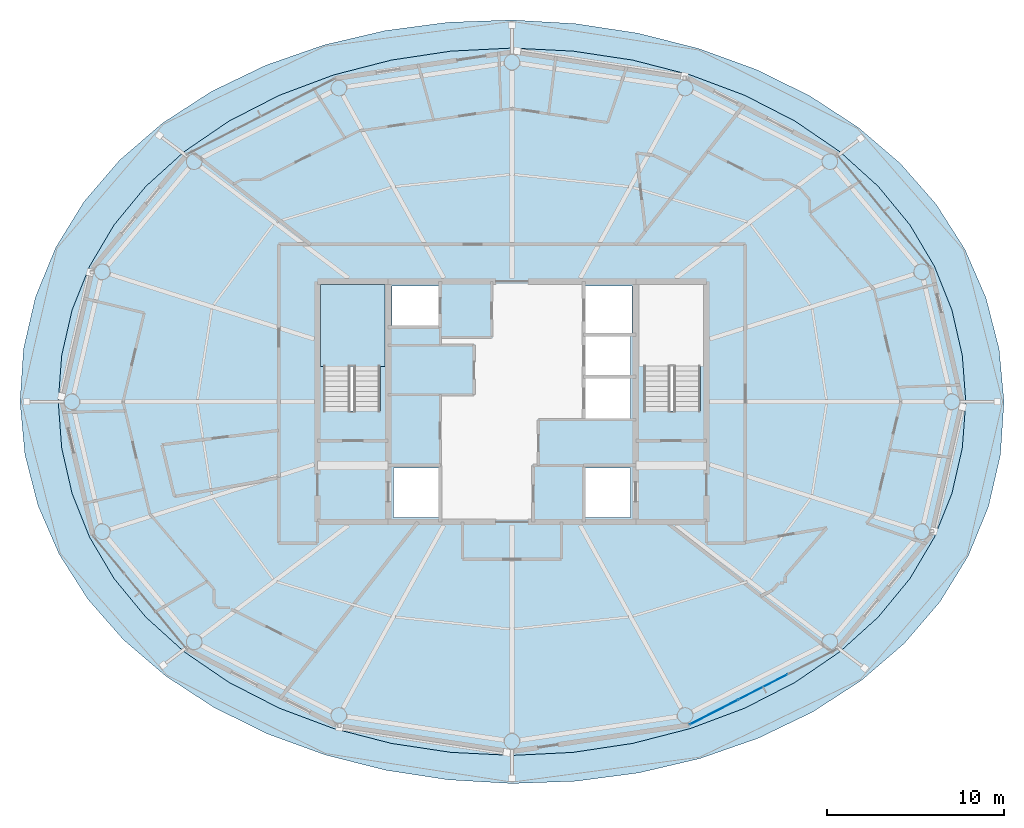
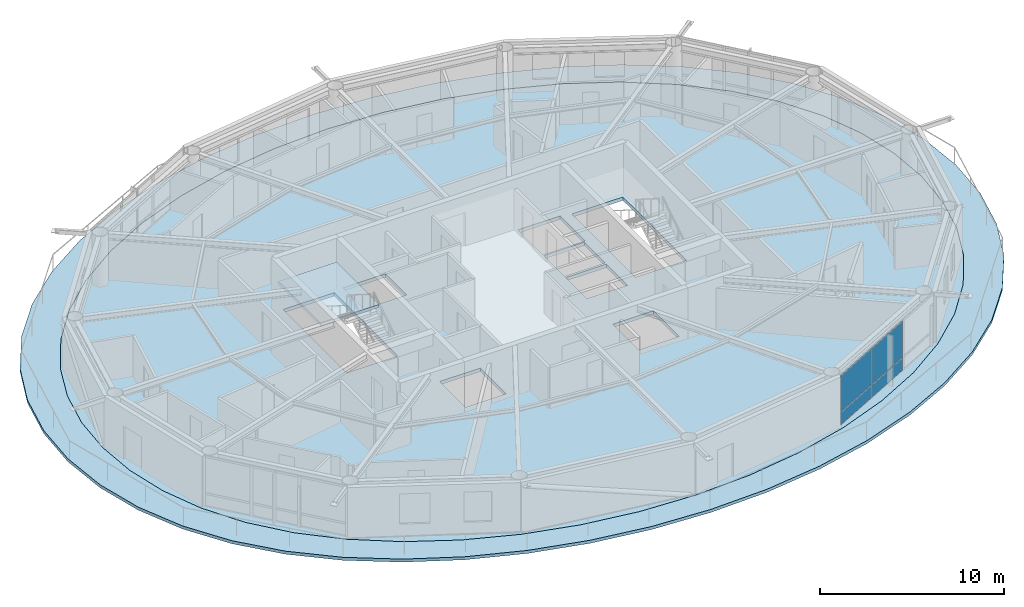
# One storey, part 13 of 22: 4 plates, 3 slabs, 2 elements without a shape of their own.
"""IFC4 building model written with IfcOpenShell, lengths in metres."""

from ifc_helpers import new_model, si_unit, direction, frame, origin, origin_2d, place, context, subcontext, project, spatial, polyline, rectangle, outline, extrude, material, layer, layer_set, type_object, element, aggregate, save


model = new_model("IFC4")

# Units and contexts
model_context = context("Model", 3, precision=1e-05, world=origin(), true_north=direction((0.0, 1.0)))
body_context = subcontext(model_context, "Body", "Model", "MODEL_VIEW")
ifc_project = project(units=[si_unit("LENGTHUNIT", "METRE"), si_unit("AREAUNIT", "SQUARE_METRE"), si_unit("VOLUMEUNIT", "CUBIC_METRE"), si_unit("PLANEANGLEUNIT", "RADIAN"), si_unit("MASSUNIT", "GRAM", prefix="KILO")], contexts=[model_context])

# Site, building, storey
site_placement = place(None, origin())
site = spatial("IfcSite", under=ifc_project, at=site_placement, CompositionType="ELEMENT")
building_placement = place(site_placement, origin())
building = spatial("IfcBuilding", under=site, at=building_placement, Name="Sarneth Arch Tower", CompositionType="ELEMENT")
storey_placement = place(building_placement, frame((0.0, 0.0, 305.39990234375)))
storey = spatial("IfcBuildingStorey", under=building, at=storey_placement, Name="L79", CompositionType="ELEMENT", Elevation=305.39990234375)

# Curtain wall, plates
ifc_material_1 = material(Name="Anodised aluminium Type AA25 and solar-control low-e laminated IGU", Category="aluminium")
ifc_layer_1 = layer(ifc_material_1, 0.179931640625)
ifc_layer_set_1 = layer_set([ifc_layer_1], Name="Anodised aluminium Type AA25 and solar-control low-e laminated IGU")
curtain_wall_type = type_object("IfcCurtainWallType", Name="CW-RES-HIGH", PredefinedType="NOTDEFINED", material=ifc_layer_set_1)
curtain_wall_placement = place(storey_placement, origin())
curtain_wall = element("IfcCurtainWall", 1, at=curtain_wall_placement, inside=storey, type_object=curtain_wall_type, Name="L79 Unitised curtain wall facet 14", PredefinedType="NOTDEFINED")
ifc_material_2 = material(Name="Solar-control low-e laminated IGU", Category="glass")
ifc_layer_2 = layer(ifc_material_2, 0.028076171875)
ifc_layer_set_2 = layer_set([ifc_layer_2], Name="Solar-control low-e laminated IGU")
plate_type = type_object("IfcPlateType", Name="CW-PANEL", PredefinedType="CURTAIN_PANEL", material=ifc_layer_set_2)
plate_1_placement = place(storey_placement, frame((59.4208984375, 24.447021484375, 0.06005859375), z_axis=(0.0, 0.0, 1.0), x_axis=(0.890009540525, 0.455941901753, 0.0)))
plate_1 = element("IfcPlate", 2, at=plate_1_placement, type_object=plate_type, Name="Curtain wall glazed vision pane CW-L79-F14/P00-00", PredefinedType="CURTAIN_PANEL", context=body_context, shape_type="SweptSolid", body=[
    extrude(rectangle(XDim=3.044677734375, YDim=0.028076171875, at=origin_2d()), origin(), (0.0, 0.0, 1.0), 0.81005859375),
])
plate_2_placement = place(storey_placement, frame((59.4208984375, 24.447021484375, 0.93017578125), z_axis=(0.0, 0.0, 1.0), x_axis=(0.890009540525, 0.455941901753, 0.0)))
plate_2 = element("IfcPlate", 3, at=plate_2_placement, type_object=plate_type, Name="Curtain wall glazed vision pane CW-L79-F14/P00-01", PredefinedType="CURTAIN_PANEL", context=body_context, shape_type="SweptSolid", body=[
    extrude(rectangle(XDim=3.044677734375, YDim=0.028076171875, at=origin_2d()), origin(), (0.0, 0.0, 1.0), 2.3798828125),
])
plate_3_placement = place(storey_placement, frame((62.197509765625, 25.86962890625, 0.06005859375), z_axis=(0.0, 0.0, 1.0), x_axis=(0.890009540525, 0.455941901753, 0.0)))
plate_3 = element("IfcPlate", 4, at=plate_3_placement, type_object=plate_type, Name="Curtain wall glazed vision pane CW-L79-F14/P01-00", PredefinedType="CURTAIN_PANEL", context=body_context, shape_type="SweptSolid", body=[
    extrude(rectangle(XDim=3.07470703125, YDim=0.028076171875, at=origin_2d()), origin(), (0.0, 0.0, 1.0), 0.81005859375),
])
plate_4_placement = place(storey_placement, frame((62.197509765625, 25.86962890625, 0.93017578125), z_axis=(0.0, 0.0, 1.0), x_axis=(0.890009540525, 0.455941901753, 0.0)))
plate_4 = element("IfcPlate", 5, at=plate_4_placement, type_object=plate_type, Name="Curtain wall glazed vision pane CW-L79-F14/P01-01", PredefinedType="CURTAIN_PANEL", context=body_context, shape_type="SweptSolid", body=[
    extrude(rectangle(XDim=3.07470703125, YDim=0.028076171875, at=origin_2d()), origin(), (0.0, 0.0, 1.0), 2.3798828125),
])
aggregate(curtain_wall, [plate_1, plate_2, plate_3, plate_4])

# Slab
ifc_material_3 = material(Name="Concrete C50/60", Category="concrete")
ifc_layer_3 = layer(ifc_material_3, 0.199951171875)
ifc_layer_set_3 = layer_set([ifc_layer_3], Name="Concrete C50/60")
slab_type_1 = type_object("IfcSlabType", Name="SLAB-BALC-200", PredefinedType="FLOOR", material=ifc_layer_set_3)
slab_1_placement = place(storey_placement, frame((0.0, 0.0, -0.199951171875)))
element("IfcSlab", 6, at=slab_1_placement, inside=storey, type_object=slab_type_1, Name="L79 Helical balcony band slab", PredefinedType="FLOOR", context=body_context, shape_type="SweptSolid", body=[
    extrude(outline(polyline([(75.82275390625, 42.0), (75.5458984375, 44.98193359375), (74.803466796875, 47.8740234375), (73.613037109375, 50.61376953125), (71.994384765625, 53.15478515625), (69.970947265625, 55.464599609375), (67.572509765625, 57.5185546875), (64.838134765625, 59.2978515625), (61.81689453125, 60.786376953125), (58.56494140625, 61.97021484375), (55.140380859375, 62.837646484375), (51.6005859375, 63.379638671875), (48.0, 63.588134765625), (44.3916015625, 63.458251953125), (40.829345703125, 62.9873046875), (37.37060546875, 62.176025390625), (34.077392578125, 61.028564453125), (31.01416015625, 59.552978515625), (28.244140625, 57.762451171875), (25.822998046875, 55.675537109375), (23.796630859375, 53.316650390625), (22.198486328125, 50.718994140625), (21.052978515625, 47.926025390625), (20.37646484375, 44.995849609375), (20.17724609375, 42.0), (20.4541015625, 39.01806640625), (21.196533203125, 36.1259765625), (22.386962890625, 33.38623046875), (24.005615234375, 30.84521484375), (26.029052734375, 28.535400390625), (28.427490234375, 26.4814453125), (31.161865234375, 24.7021484375), (34.18310546875, 23.213623046875), (37.43505859375, 22.02978515625), (40.859619140625, 21.162353515625), (44.3994140625, 20.620361328125), (48.0, 20.411865234375), (51.6083984375, 20.541748046875), (55.170654296875, 21.0126953125), (58.62939453125, 21.823974609375), (61.922607421875, 22.971435546875), (64.98583984375, 24.447021484375), (67.755859375, 26.237548828125), (70.177001953125, 28.324462890625), (72.203369140625, 30.683349609375), (73.801513671875, 33.281005859375), (74.947021484375, 36.073974609375), (75.62353515625, 39.004150390625), (75.82275390625, 42.0)]), holes=[polyline([(73.660888671875, 42.0), (73.466064453125, 44.610595703125), (72.87890625, 47.17626953125), (71.892822265625, 49.653564453125), (70.5029296875, 52.0), (68.712158203125, 54.17529296875), (66.536865234375, 56.14208984375), (64.009521484375, 57.8671875), (61.177001953125, 59.320556640625), (58.0966796875, 60.4775390625), (54.83203125, 61.318603515625), (51.44580078125, 61.828857421875), (48.0, 62.0), (44.55419921875, 61.828857421875), (41.16796875, 61.318603515625), (37.9033203125, 60.4775390625), (34.822998046875, 59.320556640625), (31.990478515625, 57.8671875), (29.463134765625, 56.14208984375), (27.287841796875, 54.17529296875), (25.4970703125, 52.0), (24.107177734375, 49.653564453125), (23.12109375, 47.17626953125), (22.533935546875, 44.610595703125), (22.339111328125, 42.0), (22.533935546875, 39.389404296875), (23.12109375, 36.82373046875), (24.107177734375, 34.346435546875), (25.4970703125, 32.0), (27.287841796875, 29.82470703125), (29.463134765625, 27.85791015625), (31.990478515625, 26.1328125), (34.822998046875, 24.679443359375), (37.9033203125, 23.5224609375), (41.16796875, 22.681396484375), (44.55419921875, 22.171142578125), (48.0, 22.0), (51.44580078125, 22.171142578125), (54.83203125, 22.681396484375), (58.0966796875, 23.5224609375), (61.177001953125, 24.679443359375), (64.009521484375, 26.1328125), (66.536865234375, 27.85791015625), (68.712158203125, 29.82470703125), (70.5029296875, 32.0), (71.892822265625, 34.346435546875), (72.87890625, 36.82373046875), (73.466064453125, 39.389404296875), (73.660888671875, 42.0)])]), origin(), (0.0, 0.0, 1.0), 0.199951171875),
])

# Stair, slab
ifc_material_4 = material(Name="Concrete C50/60", Category="concrete")
stair_type = type_object("IfcStairType", Name="STAIR-CORE-RC", PredefinedType="HALF_TURN_STAIR", material=ifc_material_4)
stair_placement = place(storey_placement, origin())
stair = element("IfcStair", 7, at=stair_placement, inside=storey, type_object=stair_type, Name="L79 Core Exit Stair 1", PredefinedType="HALF_TURN_STAIR")
ifc_material_5 = material(Name="Concrete C50/60", Category="concrete")
ifc_layer_4 = layer(ifc_material_5, 0.199951171875)
ifc_layer_set_4 = layer_set([ifc_layer_4], Name="Concrete C50/60")
slab_type_2 = type_object("IfcSlabType", Name="SLAB-LANDING-200", PredefinedType="LANDING", material=ifc_layer_set_4)
slab_2_placement = place(storey_placement, frame((0.0, 0.0, 1.60009765625)))
slab_2 = element("IfcSlab", 8, at=slab_2_placement, type_object=slab_type_2, Name="ST-1 landing 1", PredefinedType="LANDING", context=body_context, shape_type="SweptSolid", body=[
    extrude(outline(polyline([(37.175048828125, 43.985107421875), (40.824951171875, 43.985107421875), (40.824951171875, 48.625), (37.175048828125, 48.625), (37.175048828125, 43.985107421875)])), origin(), (0.0, 0.0, 1.0), 0.199951171875),
])
aggregate(stair, [slab_2])

# Slab
ifc_material_6 = material(Name="Concrete C50/60", Category="concrete")
ifc_layer_5 = layer(ifc_material_6, 0.22998046875)
ifc_layer_set_5 = layer_set([ifc_layer_5], Name="Concrete C50/60")
slab_type_3 = type_object("IfcSlabType", Name="SLAB-TOWER-230", PredefinedType="FLOOR", material=ifc_layer_set_5)
slab_3_placement = place(storey_placement, frame((0.0, 0.0, -0.22998046875)))
element("IfcSlab", 9, at=slab_3_placement, inside=storey, type_object=slab_type_3, Name="L79 Elliptical floor slab", PredefinedType="FLOOR", context=body_context, shape_type="SweptSolid", body=[
    extrude(outline(polyline([(73.660888671875, 42.0), (73.466064453125, 44.610595703125), (72.87890625, 47.17626953125), (71.892822265625, 49.653564453125), (70.5029296875, 52.0), (68.712158203125, 54.17529296875), (66.536865234375, 56.14208984375), (64.009521484375, 57.8671875), (61.177001953125, 59.320556640625), (58.0966796875, 60.4775390625), (54.83203125, 61.318603515625), (51.44580078125, 61.828857421875), (48.0, 62.0), (44.55419921875, 61.828857421875), (41.16796875, 61.318603515625), (37.9033203125, 60.4775390625), (34.822998046875, 59.320556640625), (31.990478515625, 57.8671875), (29.463134765625, 56.14208984375), (27.287841796875, 54.17529296875), (25.4970703125, 52.0), (24.107177734375, 49.653564453125), (23.12109375, 47.17626953125), (22.533935546875, 44.610595703125), (22.339111328125, 42.0), (22.533935546875, 39.389404296875), (23.12109375, 36.82373046875), (24.107177734375, 34.346435546875), (25.4970703125, 32.0), (27.287841796875, 29.82470703125), (29.463134765625, 27.85791015625), (31.990478515625, 26.1328125), (34.822998046875, 24.679443359375), (37.9033203125, 23.5224609375), (41.16796875, 22.681396484375), (44.55419921875, 22.171142578125), (48.0, 22.0), (51.44580078125, 22.171142578125), (54.83203125, 22.681396484375), (58.0966796875, 23.5224609375), (61.177001953125, 24.679443359375), (64.009521484375, 26.1328125), (66.536865234375, 27.85791015625), (68.712158203125, 29.82470703125), (70.5029296875, 32.0), (71.892822265625, 34.346435546875), (72.87890625, 36.82373046875), (73.466064453125, 39.389404296875), (73.660888671875, 42.0)]), holes=[polyline([(37.35009765625, 41.489990234375), (40.550048828125, 41.489990234375), (40.550048828125, 48.39990234375), (37.35009765625, 48.39990234375), (37.35009765625, 41.489990234375)]), polyline([(55.449951171875, 41.489990234375), (58.64990234375, 41.489990234375), (58.64990234375, 48.39990234375), (55.449951171875, 48.39990234375), (55.449951171875, 41.489990234375)]), polyline([(41.199951171875, 46.25), (43.85009765625, 46.25), (43.85009765625, 48.550048828125), (41.199951171875, 48.550048828125), (41.199951171875, 46.25)]), polyline([(41.300048828125, 35.449951171875), (43.85009765625, 35.449951171875), (43.85009765625, 38.25), (41.300048828125, 38.25), (41.300048828125, 35.449951171875)]), polyline([(52.14990234375, 35.449951171875), (54.699951171875, 35.449951171875), (54.699951171875, 38.25), (52.14990234375, 38.25), (52.14990234375, 35.449951171875)]), polyline([(52.14990234375, 45.85009765625), (54.800048828125, 45.85009765625), (54.800048828125, 48.550048828125), (52.14990234375, 48.550048828125), (52.14990234375, 45.85009765625)]), polyline([(52.14990234375, 41.050048828125), (54.699951171875, 41.050048828125), (54.699951171875, 43.35009765625), (52.14990234375, 43.35009765625), (52.14990234375, 41.050048828125)]), polyline([(52.14990234375, 43.5), (54.699951171875, 43.5), (54.699951171875, 45.75), (52.14990234375, 45.75), (52.14990234375, 43.5)])]), origin(), (0.0, 0.0, 1.0), 0.22998046875),
])

save(model, "model.ifc")
